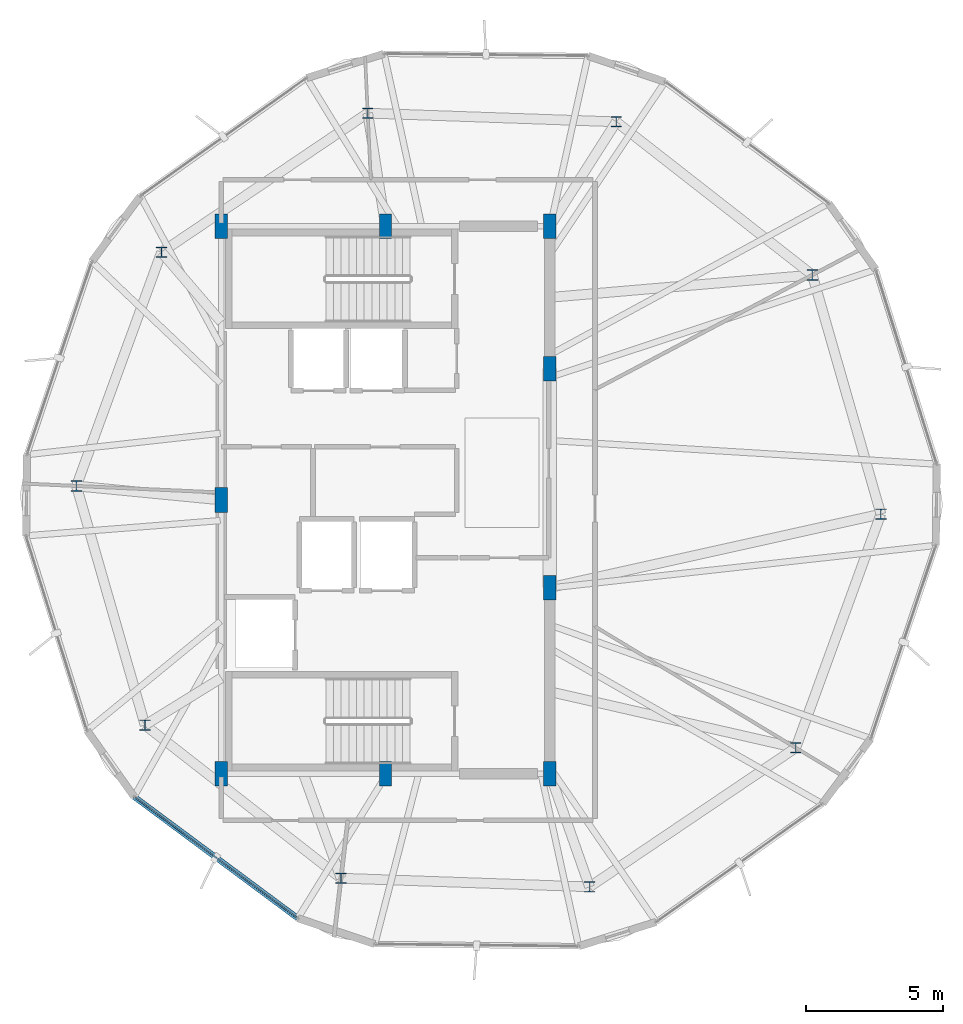
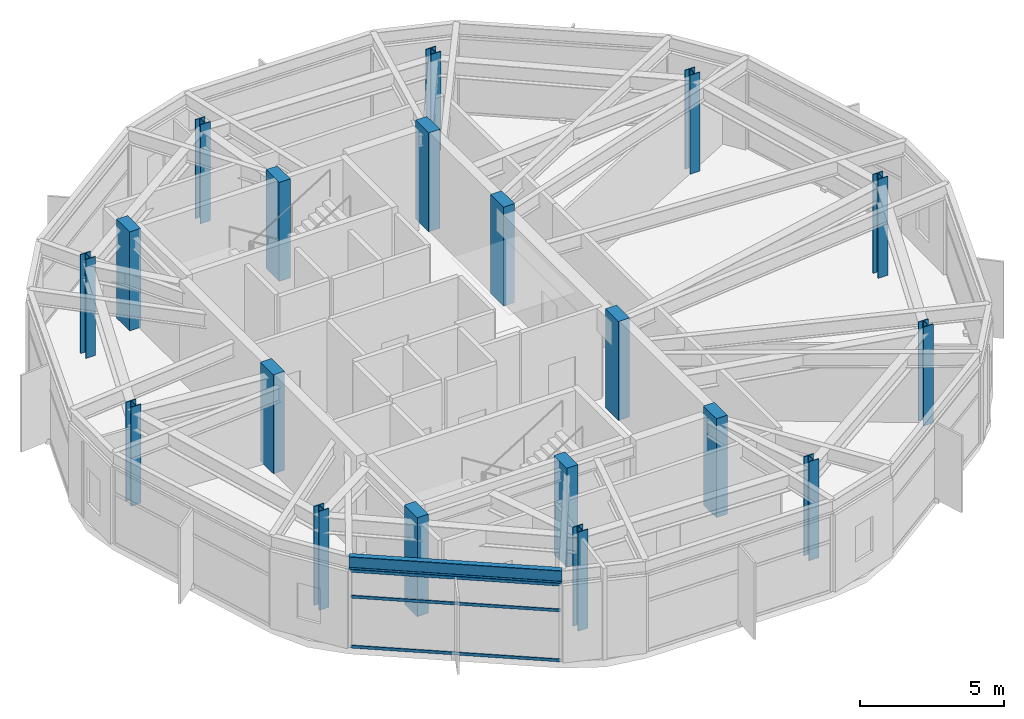
# One storey, part 1 of 19: 19 columns, 3 members, 1 beam, 1 element without a shape of its own.
"""IFC4 building model written with IfcOpenShell, lengths in metres."""

from ifc_helpers import new_model, si_unit, direction, frame, origin, origin_2d, place, context, subcontext, project, spatial, rectangle, hollow_rectangle, i_section, extrude, material, layer, layer_set, material_profile, profile_set, type_object, element, aggregate, save


model = new_model("IFC4")

# Units and contexts
model_context = context("Model", 3, precision=1e-05, world=origin(), true_north=direction((0.0, 1.0)))
body_context = subcontext(model_context, "Body", "Model", "MODEL_VIEW")
ifc_project = project(units=[si_unit("LENGTHUNIT", "METRE"), si_unit("AREAUNIT", "SQUARE_METRE"), si_unit("VOLUMEUNIT", "CUBIC_METRE"), si_unit("PLANEANGLEUNIT", "RADIAN"), si_unit("MASSUNIT", "GRAM", prefix="KILO")], contexts=[model_context])

# Site, building, storey
site_placement = place(None, origin())
site = spatial("IfcSite", under=ifc_project, at=site_placement, CompositionType="ELEMENT")
building_placement = place(site_placement, origin())
building = spatial("IfcBuilding", under=site, at=building_placement, Name="Soratama Intermodal Tower", CompositionType="ELEMENT")
storey_placement = place(building_placement, frame((0.0, 0.0, 297.25)))
storey = spatial("IfcBuildingStorey", under=building, at=storey_placement, Name="L75", CompositionType="ELEMENT", Elevation=297.25)

# Columns
ifc_material_1 = material(Name="Structural steel ASTM A992 Grade 50", Category="steel")
ifc_material_profile_1 = material_profile(ifc_material_1, i_section(OverallWidth=0.39794921875, OverallDepth=0.386962890625, WebThickness=0.02099609375, FlangeThickness=0.033203125, FilletRadius=0.0380859375, at=origin_2d()), Name="W14X176")
ifc_profile_set_1 = profile_set([ifc_material_profile_1], Name="Structural steel ASTM A992 Grade 50")
column_type_1 = type_object("IfcColumnType", Name="COL-ZF-W14X176", PredefinedType="COLUMN", material=ifc_profile_set_1)
for number, where, z_axis, x_axis, name in (
    (1, (54.18701171875, 33.22021484375, 0.0), (0.0, 0.0, 1.0), (1.0, 0.0, 0.0), "L75 Tower Ring Column R01"),
    (2, (47.027587890625, 38.8134765625, 0.0), (0.0, 0.0, 1.0), (1.0, 0.0, 0.0), "L75 Tower Ring Column R02"),
    (3, (37.947998046875, 39.130615234375, 0.0), (0.0, 0.0, 1.0), (1.0, 0.0, 0.0), "L75 Tower Ring Column R03"),
    (4, (30.416259765625, 34.05029296875, 0.0), (0.0, 0.0, 1.0), (1.0, 0.0, 0.0), "L75 Tower Ring Column R04"),
    (5, (27.30908203125, 25.512939453125, 0.0), (0.0, 0.0, 1.0), (1.0, 0.0, 0.0), "L75 Tower Ring Column R05"),
    (6, (29.81298828125, 16.77978515625, 0.0), (0.0, 0.0, 1.0), (1.0, 0.0, 0.0), "L75 Tower Ring Column R06"),
    (7, (36.972412109375, 11.1865234375, 0.0), (0.0, 0.0, 1.0), (1.0, 0.0, 0.0), "L75 Tower Ring Column R07"),
    (8, (46.052001953125, 10.869384765625, 0.0), (0.0, 0.0, 1.0), (1.0, 0.0, 0.0), "L75 Tower Ring Column R08"),
    (9, (53.583740234375, 15.94970703125, 0.0), (0.0, 0.0, 1.0), (1.0, 0.0, 0.0), "L75 Tower Ring Column R09"),
    (10, (56.69091796875, 24.487060546875, 0.0), (0.0, 0.0, 1.0), (1.0, 0.0, 0.0), "L75 Tower Ring Column R10"),
):
    element("IfcColumn", number, at=place(storey_placement, frame(where, z_axis=z_axis, x_axis=x_axis)), inside=storey, type_object=column_type_1, Name=name, PredefinedType="COLUMN", context=body_context, shape_type="SweptSolid", body=[
        extrude(i_section(OverallWidth=0.39794921875, OverallDepth=0.386962890625, WebThickness=0.02099609375, FlangeThickness=0.033203125, FilletRadius=0.0380859375, at=origin_2d()), origin(), (0.0, 0.0, 1.0), 4.199951171875),
    ])
ifc_material_2 = material(Name="Concrete f'c 56 MPa", Category="concrete")
ifc_material_profile_2 = material_profile(ifc_material_2, rectangle(XDim=0.449951171875, YDim=0.89990234375, at=origin_2d()), Name="RC450X900")
ifc_profile_set_2 = profile_set([ifc_material_profile_2], Name="Concrete f'c 56 MPa")
column_type_2 = type_object("IfcColumnType", Name="PIL-CORE-450X900", PredefinedType="PILASTER", material=ifc_profile_set_2)
for number, where, z_axis, x_axis, name in (
    (11, (32.60009765625, 15.0, 0.0), (0.0, 0.0, 1.0), (1.0, 0.0, 0.0), "L75 Core Pilaster 1"),
    (12, (32.60009765625, 25.0, 0.0), (0.0, 0.0, 1.0), (1.0, 0.0, 0.0), "L75 Core Pilaster 2"),
    (13, (32.60009765625, 35.0, 0.0), (0.0, 0.0, 1.0), (1.0, 0.0, 0.0), "L75 Core Pilaster 3"),
    (14, (38.60009765625, 15.0, 0.0), (0.0, 0.0, 1.0), (1.0, 0.0, 0.0), "L75 Core Pilaster 4"),
    (15, (38.60009765625, 35.0, 0.0), (0.0, 0.0, 1.0), (1.0, 0.0, 0.0), "L75 Core Pilaster 5"),
    (16, (44.60009765625, 15.0, 0.0), (0.0, 0.0, 1.0), (1.0, 0.0, 0.0), "L75 Core Pilaster 6"),
    (17, (44.60009765625, 21.800048828125, 0.0), (0.0, 0.0, 1.0), (1.0, 0.0, 0.0), "L75 Core Pilaster 7"),
    (18, (44.60009765625, 29.800048828125, 0.0), (0.0, 0.0, 1.0), (1.0, 0.0, 0.0), "L75 Core Pilaster 8"),
    (19, (44.60009765625, 35.0, 0.0), (0.0, 0.0, 1.0), (1.0, 0.0, 0.0), "L75 Core Pilaster 9"),
):
    element("IfcColumn", number, at=place(storey_placement, frame(where, z_axis=z_axis, x_axis=x_axis)), inside=storey, type_object=column_type_2, Name=name, PredefinedType="PILASTER", context=body_context, shape_type="SweptSolid", body=[
        extrude(rectangle(XDim=0.449951171875, YDim=0.89990234375, at=origin_2d()), origin(), (0.0, 0.0, 1.0), 4.199951171875),
    ])

# Beam
ifc_material_3 = material(Name="Structural steel ASTM A992 Grade 50", Category="steel")
ifc_material_profile_3 = material_profile(ifc_material_3, i_section(OverallWidth=0.2099609375, OverallDepth=0.537109375, WebThickness=0.010986328125, FlangeThickness=0.017333984375, FilletRadius=0.012939453125, at=origin_2d()), Name="W21X68")
ifc_profile_set_3 = profile_set([ifc_material_profile_3], Name="Structural steel ASTM A992 Grade 50")
beam_type = type_object("IfcBeamType", Name="BM-SPN-W21X68", PredefinedType="SPANDREL", material=ifc_profile_set_3)
beam_placement = place(storey_placement, frame((29.4130859375, 14.1640625, 3.62646484375), z_axis=(0.802861716876, -0.596165298869, 0.0), x_axis=(0.596165298869, 0.802861716876, 0.0)))
element("IfcBeam", 20, at=beam_placement, inside=storey, type_object=beam_type, Name="BS-L75-F05", PredefinedType="SPANDREL", context=body_context, shape_type="SweptSolid", body=[
    extrude(i_section(OverallWidth=0.2099609375, OverallDepth=0.537109375, WebThickness=0.010986328125, FlangeThickness=0.017333984375, FilletRadius=0.012939453125, at=origin_2d()), origin(), (0.0, 0.0, 1.0), 7.449462890625),
])

# Curtain wall, members
ifc_material_4 = material(Name="Double-glazed aluminium curtain wall", Category="aluminium")
ifc_layer = layer(ifc_material_4, 0.159912109375)
ifc_layer_set = layer_set([ifc_layer], Name="Double-glazed aluminium curtain wall")
curtain_wall_type = type_object("IfcCurtainWallType", Name="CW-SYS-6", PredefinedType="NOTDEFINED", material=ifc_layer_set)
curtain_wall_placement = place(storey_placement, origin())
curtain_wall = element("IfcCurtainWall", 21, at=curtain_wall_placement, inside=storey, type_object=curtain_wall_type, Name="L75 Faceted Curtain Wall F05", PredefinedType="NOTDEFINED")
ifc_material_5 = material(Name="Anodised aluminium AA 6063-T6", Category="aluminium")
ifc_material_profile_4 = material_profile(ifc_material_5, hollow_rectangle(XDim=0.06005859375, YDim=0.1298828125, WallThickness=0.0048828125, InnerFilletRadius=0.0048828125, OuterFilletRadius=0.010009765625, at=origin_2d()), Name="CWT130X60X5")
ifc_profile_set_4 = profile_set([ifc_material_profile_4], Name="Anodised aluminium AA 6063-T6")
member_type = type_object("IfcMemberType", Name="TT-CWT-2", PredefinedType="USERDEFINED", material=ifc_profile_set_4)
member_1_placement = place(storey_placement, frame((29.461669921875, 14.128662109375, 0.030029296875), z_axis=(0.802805349788, -0.596241201488, 0.0), x_axis=(0.596241201488, 0.802805349788, 0.0)))
member_1 = element("IfcMember", 22, at=member_1_placement, type_object=member_type, Name="CW-6 transom 1.1", ObjectType="TRANSOM", PredefinedType="USERDEFINED", context=body_context, shape_type="SweptSolid", body=[
    extrude(hollow_rectangle(XDim=0.06005859375, YDim=0.1298828125, WallThickness=0.0048828125, InnerFilletRadius=0.0048828125, OuterFilletRadius=0.010009765625, at=origin_2d()), origin(), (0.0, 0.0, 1.0), 7.3291015625),
])
member_2_placement = place(storey_placement, frame((29.461669921875, 14.128662109375, 2.14990234375), z_axis=(0.802805349788, -0.596241201488, 0.0), x_axis=(0.596241201488, 0.802805349788, 0.0)))
member_2 = element("IfcMember", 23, at=member_2_placement, type_object=member_type, Name="CW-6 transom 1.2", ObjectType="TRANSOM", PredefinedType="USERDEFINED", context=body_context, shape_type="SweptSolid", body=[
    extrude(hollow_rectangle(XDim=0.06005859375, YDim=0.1298828125, WallThickness=0.0048828125, InnerFilletRadius=0.0048828125, OuterFilletRadius=0.010009765625, at=origin_2d()), origin(), (0.0, 0.0, 1.0), 7.3291015625),
])
member_3_placement = place(storey_placement, frame((29.461669921875, 14.128662109375, 3.243896484375), z_axis=(0.802805349788, -0.596241201488, 0.0), x_axis=(0.596241201488, 0.802805349788, 0.0)))
member_3 = element("IfcMember", 24, at=member_3_placement, type_object=member_type, Name="CW-6 transom 1.3", ObjectType="TRANSOM", PredefinedType="USERDEFINED", context=body_context, shape_type="SweptSolid", body=[
    extrude(hollow_rectangle(XDim=0.06005859375, YDim=0.1298828125, WallThickness=0.0048828125, InnerFilletRadius=0.0048828125, OuterFilletRadius=0.010009765625, at=origin_2d()), origin(), (0.0, 0.0, 1.0), 7.3291015625),
])
aggregate(curtain_wall, [member_1, member_2, member_3])

save(model, "model.ifc")
